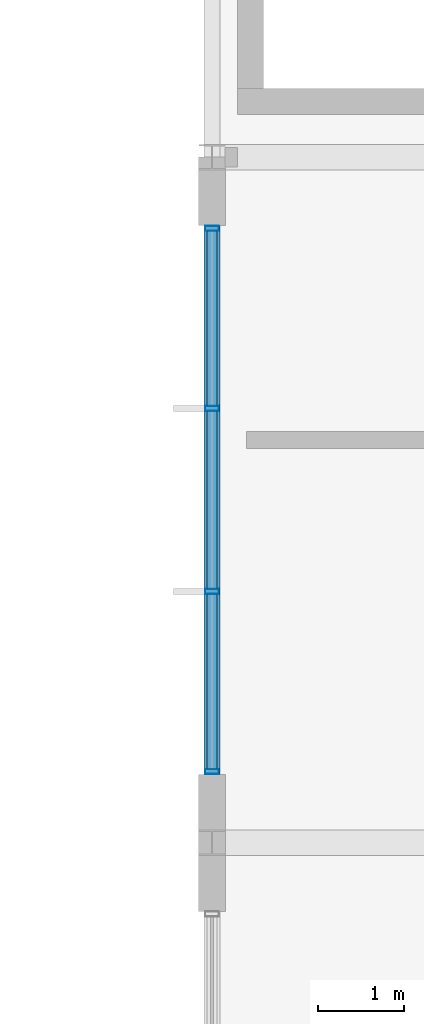
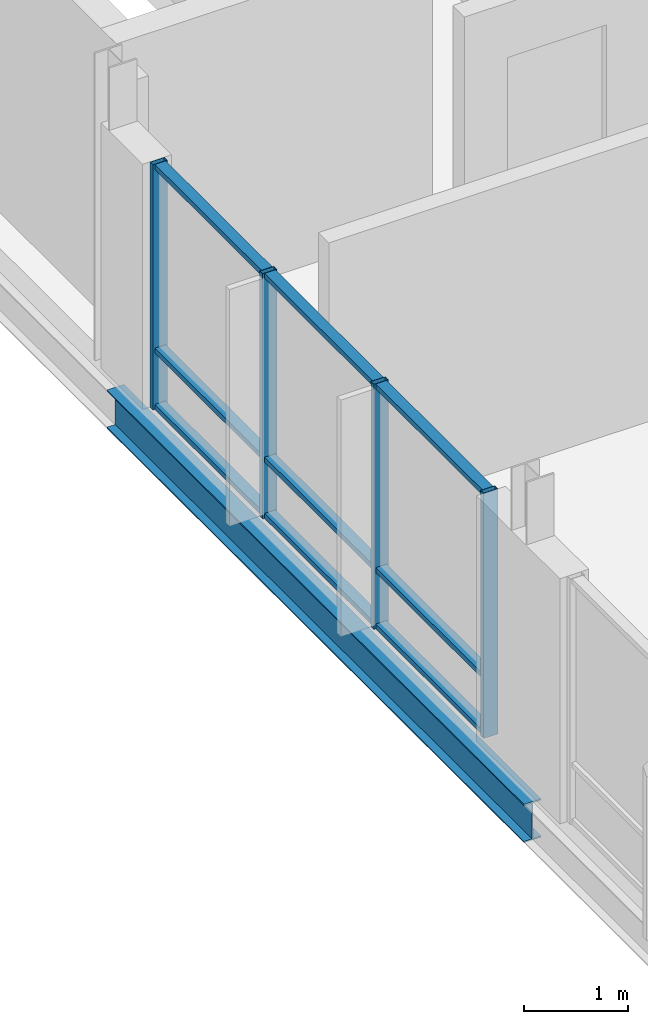
# One storey, part 119 of 189: 13 members, 1 beam, 1 element without a shape of its own.
"""IFC4 building model written with IfcOpenShell, lengths in metres."""

from ifc_helpers import new_model, si_unit, direction, frame, origin, origin_2d, place, context, subcontext, project, spatial, hollow_rectangle, i_section, extrude, material, material_profile, profile_set, type_object, element, aggregate, save


model = new_model("IFC4")

# Units and contexts
model_context = context("Model", 3, precision=1e-05, world=origin(), true_north=direction((0.0, 1.0)))
body_context = subcontext(model_context, "Body", "Model", "MODEL_VIEW")
ifc_project = project(units=[si_unit("LENGTHUNIT", "METRE"), si_unit("AREAUNIT", "SQUARE_METRE"), si_unit("VOLUMEUNIT", "CUBIC_METRE"), si_unit("PLANEANGLEUNIT", "RADIAN"), si_unit("MASSUNIT", "GRAM", prefix="KILO")], contexts=[model_context])

# Site, building, storey
site_placement = place(None, origin())
site = spatial("IfcSite", under=ifc_project, at=site_placement, CompositionType="ELEMENT")
building_placement = place(site_placement, origin())
building = spatial("IfcBuilding", under=site, at=building_placement, Name="Zavelmont Quarter", CompositionType="ELEMENT")
storey_placement = place(building_placement, frame((0.0, 0.0, 4.39990234375)))
storey = spatial("IfcBuildingStorey", under=building, at=storey_placement, Name="L01", CompositionType="ELEMENT", Elevation=4.39990234375)

# Beam
ifc_material_1 = material(Name="Steel S355", Category="steel")
ifc_material_profile_1 = material_profile(ifc_material_1, i_section(OverallWidth=0.18994140625, OverallDepth=0.449951171875, WebThickness=0.009521484375, FlangeThickness=0.0146484375, at=origin_2d()), Name="IPE 450")
ifc_profile_set_1 = profile_set([ifc_material_profile_1], Name="Steel S355")
beam_type = type_object("IfcBeamType", Name="BM12", PredefinedType="BEAM", material=ifc_profile_set_1)
beam_placement = place(storey_placement, frame((133.5, 62.0, -0.5048828125), z_axis=(0.0, 1.0, 0.0), x_axis=(-1.0, 0.0, 0.0)))
element("IfcBeam", 1, at=beam_placement, inside=storey, type_object=beam_type, Name="L01 beam BM12 20/K to 20/L", PredefinedType="BEAM", context=body_context, shape_type="SweptSolid", body=[
    extrude(i_section(OverallWidth=0.18994140625, OverallDepth=0.449951171875, WebThickness=0.009521484375, FlangeThickness=0.0146484375, at=origin_2d()), origin(), (0.0, 0.0, 1.0), 8.0),
])

# Curtain wall, members
ifc_material_2 = material(Name="Thermally broken aluminium and double low-E safety glazing", Category="aluminium")
curtain_wall_type = type_object("IfcCurtainWallType", Name="CW-640X287", PredefinedType="NOTDEFINED", material=ifc_material_2)
curtain_wall_placement = place(storey_placement, origin())
curtain_wall = element("IfcCurtainWall", 2, at=curtain_wall_placement, inside=storey, type_object=curtain_wall_type, Name="L01 unitised curtain wall CW-640X287", PredefinedType="NOTDEFINED")
ifc_material_3 = material(Name="Powder-coated aluminium EN AW-6063-T6", Category="aluminium")
ifc_material_profile_2 = material_profile(ifc_material_3, hollow_rectangle(XDim=0.06005859375, YDim=0.159912109375, WallThickness=0.00390625, at=origin_2d()), Name="CWM60X160")
ifc_profile_set_2 = profile_set([ifc_material_profile_2], Name="Powder-coated aluminium EN AW-6063-T6")
member_type_1 = type_object("IfcMemberType", Name="CWM01", PredefinedType="MULLION", material=ifc_profile_set_2)
member_1_placement = place(storey_placement, frame((133.5, 62.830078125, 0.0), z_axis=(0.0, 0.0, 1.0), x_axis=(0.0, 1.0, 0.0)))
member_1 = element("IfcMember", 3, at=member_1_placement, type_object=member_type_1, Name="CW-640X287 mullion 1", PredefinedType="MULLION", context=body_context, shape_type="SweptSolid", body=[
    extrude(hollow_rectangle(XDim=0.06005859375, YDim=0.159912109375, WallThickness=0.00390625, at=origin_2d()), origin(), (0.0, 0.0, 1.0), 2.8701171875),
])
member_2_placement = place(storey_placement, frame((133.5, 64.933349609375, 0.0), z_axis=(0.0, 0.0, 1.0), x_axis=(0.0, 1.0, 0.0)))
member_2 = element("IfcMember", 4, at=member_2_placement, type_object=member_type_1, Name="CW-640X287 mullion 2", PredefinedType="MULLION", context=body_context, shape_type="SweptSolid", body=[
    extrude(hollow_rectangle(XDim=0.06005859375, YDim=0.159912109375, WallThickness=0.00390625, at=origin_2d()), origin(), (0.0, 0.0, 1.0), 2.8701171875),
])
member_3_placement = place(storey_placement, frame((133.5, 67.066650390625, 0.0), z_axis=(0.0, 0.0, 1.0), x_axis=(0.0, 1.0, 0.0)))
member_3 = element("IfcMember", 5, at=member_3_placement, type_object=member_type_1, Name="CW-640X287 mullion 3", PredefinedType="MULLION", context=body_context, shape_type="SweptSolid", body=[
    extrude(hollow_rectangle(XDim=0.06005859375, YDim=0.159912109375, WallThickness=0.00390625, at=origin_2d()), origin(), (0.0, 0.0, 1.0), 2.8701171875),
])
member_4_placement = place(storey_placement, frame((133.5, 69.169921875, 0.0), z_axis=(0.0, 0.0, 1.0), x_axis=(0.0, 1.0, 0.0)))
member_4 = element("IfcMember", 6, at=member_4_placement, type_object=member_type_1, Name="CW-640X287 mullion 4", PredefinedType="MULLION", context=body_context, shape_type="SweptSolid", body=[
    extrude(hollow_rectangle(XDim=0.06005859375, YDim=0.159912109375, WallThickness=0.00390625, at=origin_2d()), origin(), (0.0, 0.0, 1.0), 2.8701171875),
])
ifc_material_profile_3 = material_profile(ifc_material_3, hollow_rectangle(XDim=0.1201171875, YDim=0.06005859375, WallThickness=0.00390625, at=origin_2d()), Name="CWT60X120")
ifc_profile_set_3 = profile_set([ifc_material_profile_3], Name="Powder-coated aluminium EN AW-6063-T6")
member_type_2 = type_object("IfcMemberType", Name="CWT01", PredefinedType="NOTDEFINED", material=ifc_profile_set_3)
member_5_placement = place(storey_placement, frame((133.5, 62.860107421875, 0.030029296875), z_axis=(0.0, 1.0, 0.0), x_axis=(-1.0, 0.0, 0.0)))
member_5 = element("IfcMember", 7, at=member_5_placement, type_object=member_type_2, Name="CW-640X287 transom 1.1", ObjectType="TRANSOM", PredefinedType="USERDEFINED", context=body_context, shape_type="SweptSolid", body=[
    extrude(hollow_rectangle(XDim=0.1201171875, YDim=0.06005859375, WallThickness=0.00390625, at=origin_2d()), origin(), (0.0, 0.0, 1.0), 2.043212890625),
])
member_6_placement = place(storey_placement, frame((133.5, 62.860107421875, 0.689208984375), z_axis=(0.0, 1.0, 0.0), x_axis=(-1.0, 0.0, 0.0)))
member_6 = element("IfcMember", 8, at=member_6_placement, type_object=member_type_2, Name="CW-640X287 transom 1.2", ObjectType="TRANSOM", PredefinedType="USERDEFINED", context=body_context, shape_type="SweptSolid", body=[
    extrude(hollow_rectangle(XDim=0.1201171875, YDim=0.06005859375, WallThickness=0.00390625, at=origin_2d()), origin(), (0.0, 0.0, 1.0), 2.043212890625),
])
member_7_placement = place(storey_placement, frame((133.5, 62.860107421875, 2.840087890625), z_axis=(0.0, 1.0, 0.0), x_axis=(-1.0, 0.0, 0.0)))
member_7 = element("IfcMember", 9, at=member_7_placement, type_object=member_type_2, Name="CW-640X287 transom 1.3", ObjectType="TRANSOM", PredefinedType="USERDEFINED", context=body_context, shape_type="SweptSolid", body=[
    extrude(hollow_rectangle(XDim=0.1201171875, YDim=0.06005859375, WallThickness=0.00390625, at=origin_2d()), origin(), (0.0, 0.0, 1.0), 2.043212890625),
])
member_8_placement = place(storey_placement, frame((133.5, 64.96337890625, 0.030029296875), z_axis=(0.0, 1.0, 0.0), x_axis=(-1.0, 0.0, 0.0)))
member_8 = element("IfcMember", 10, at=member_8_placement, type_object=member_type_2, Name="CW-640X287 transom 2.1", ObjectType="TRANSOM", PredefinedType="USERDEFINED", context=body_context, shape_type="SweptSolid", body=[
    extrude(hollow_rectangle(XDim=0.1201171875, YDim=0.06005859375, WallThickness=0.00390625, at=origin_2d()), origin(), (0.0, 0.0, 1.0), 2.0732421875),
])
member_9_placement = place(storey_placement, frame((133.5, 64.96337890625, 0.689208984375), z_axis=(0.0, 1.0, 0.0), x_axis=(-1.0, 0.0, 0.0)))
member_9 = element("IfcMember", 11, at=member_9_placement, type_object=member_type_2, Name="CW-640X287 transom 2.2", ObjectType="TRANSOM", PredefinedType="USERDEFINED", context=body_context, shape_type="SweptSolid", body=[
    extrude(hollow_rectangle(XDim=0.1201171875, YDim=0.06005859375, WallThickness=0.00390625, at=origin_2d()), origin(), (0.0, 0.0, 1.0), 2.0732421875),
])
member_10_placement = place(storey_placement, frame((133.5, 64.96337890625, 2.840087890625), z_axis=(0.0, 1.0, 0.0), x_axis=(-1.0, 0.0, 0.0)))
member_10 = element("IfcMember", 12, at=member_10_placement, type_object=member_type_2, Name="CW-640X287 transom 2.3", ObjectType="TRANSOM", PredefinedType="USERDEFINED", context=body_context, shape_type="SweptSolid", body=[
    extrude(hollow_rectangle(XDim=0.1201171875, YDim=0.06005859375, WallThickness=0.00390625, at=origin_2d()), origin(), (0.0, 0.0, 1.0), 2.0732421875),
])
member_11_placement = place(storey_placement, frame((133.5, 67.0966796875, 0.030029296875), z_axis=(0.0, 1.0, 0.0), x_axis=(-1.0, 0.0, 0.0)))
member_11 = element("IfcMember", 13, at=member_11_placement, type_object=member_type_2, Name="CW-640X287 transom 3.1", ObjectType="TRANSOM", PredefinedType="USERDEFINED", context=body_context, shape_type="SweptSolid", body=[
    extrude(hollow_rectangle(XDim=0.1201171875, YDim=0.06005859375, WallThickness=0.00390625, at=origin_2d()), origin(), (0.0, 0.0, 1.0), 2.043212890625),
])
member_12_placement = place(storey_placement, frame((133.5, 67.0966796875, 0.689208984375), z_axis=(0.0, 1.0, 0.0), x_axis=(-1.0, 0.0, 0.0)))
member_12 = element("IfcMember", 14, at=member_12_placement, type_object=member_type_2, Name="CW-640X287 transom 3.2", ObjectType="TRANSOM", PredefinedType="USERDEFINED", context=body_context, shape_type="SweptSolid", body=[
    extrude(hollow_rectangle(XDim=0.1201171875, YDim=0.06005859375, WallThickness=0.00390625, at=origin_2d()), origin(), (0.0, 0.0, 1.0), 2.043212890625),
])
member_13_placement = place(storey_placement, frame((133.5, 67.0966796875, 2.840087890625), z_axis=(0.0, 1.0, 0.0), x_axis=(-1.0, 0.0, 0.0)))
member_13 = element("IfcMember", 15, at=member_13_placement, type_object=member_type_2, Name="CW-640X287 transom 3.3", ObjectType="TRANSOM", PredefinedType="USERDEFINED", context=body_context, shape_type="SweptSolid", body=[
    extrude(hollow_rectangle(XDim=0.1201171875, YDim=0.06005859375, WallThickness=0.00390625, at=origin_2d()), origin(), (0.0, 0.0, 1.0), 2.043212890625),
])
aggregate(curtain_wall, [member_1, member_2, member_3, member_4, member_5, member_6, member_7, member_8, member_9, member_10, member_11, member_12, member_13])

save(model, "model.ifc")
